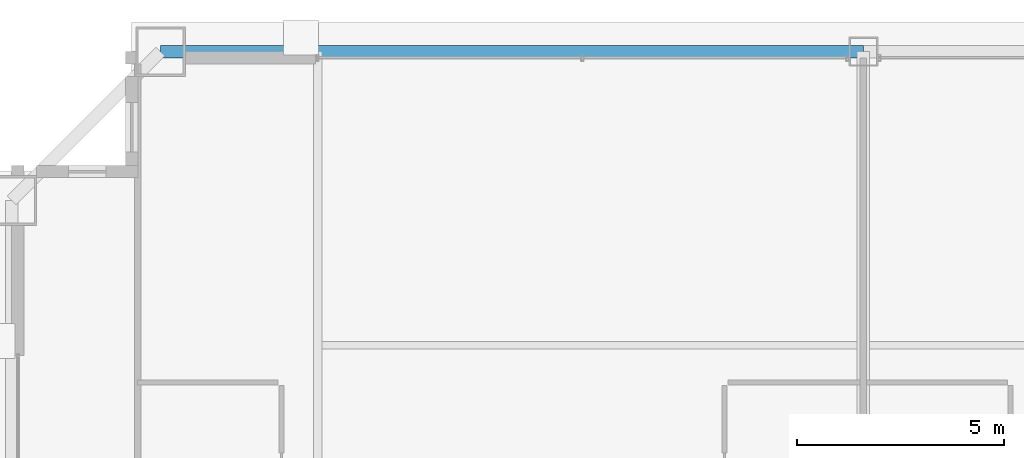
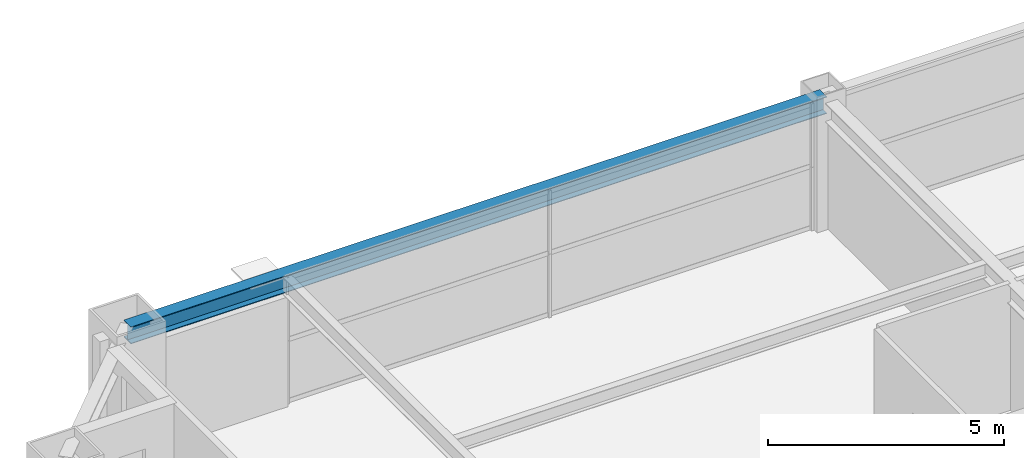
# One storey, part 25 of 36: 1 beam.
"""IFC4 building model written with IfcOpenShell, lengths in metres."""

from ifc_helpers import new_model, si_unit, direction, frame, origin, origin_2d, place, context, subcontext, project, spatial, i_section, extrude, source, transform, mapped, material, material_profile, profile_set, type_object, element, save


model = new_model("IFC4")

# Units and contexts
model_context = context("Model", 3, precision=1e-05, world=origin(), true_north=direction((0.0, 1.0)))
body_context = subcontext(model_context, "Body", "Model", "MODEL_VIEW")
ifc_project = project(units=[si_unit("LENGTHUNIT", "METRE"), si_unit("AREAUNIT", "SQUARE_METRE"), si_unit("VOLUMEUNIT", "CUBIC_METRE"), si_unit("PLANEANGLEUNIT", "RADIAN"), si_unit("MASSUNIT", "GRAM", prefix="KILO"), si_unit("THERMODYNAMICTEMPERATUREUNIT", "KELVIN"), si_unit("POWERUNIT", "WATT")], contexts=[model_context])

# Site, building, storey
site_placement = place(None, origin())
site = spatial("IfcSite", under=ifc_project, at=site_placement, CompositionType="ELEMENT")
building_placement = place(site_placement, origin())
building = spatial("IfcBuilding", under=site, at=building_placement, Name="Yuzanri Waterfront Tower", CompositionType="ELEMENT")
storey_placement = place(building_placement, frame((0.0, 0.0, 231.10009765625)))
storey = spatial("IfcBuildingStorey", under=building, at=storey_placement, Name="L61", CompositionType="ELEMENT", Elevation=231.10009765625)

# Beam
ifc_material = material(Name="Steel Q355B", Category="steel")
ifc_material_profile = material_profile(ifc_material, i_section(OverallWidth=0.300048828125, OverallDepth=0.43994140625, WebThickness=0.010986328125, FlangeThickness=0.01806640625, at=origin_2d()), Name="HM 440x300x11x18")
ifc_profile_set = profile_set([ifc_material_profile], Name="Steel Q355B")
beam_type = type_object("IfcBeamType", Name="Perimeter Spandrel Q355B HM 440x300", PredefinedType="SPANDREL", material=ifc_profile_set)
shared_shape = source(origin(), body_context, "Body", "SweptSolid", [
    extrude(i_section(OverallWidth=0.300048828125, OverallDepth=0.43994140625, WebThickness=0.010986328125, FlangeThickness=0.01806640625, at=origin_2d()), origin(), (0.0, 0.0, 1.0), 17.0),
])
beam_placement = place(storey_placement, frame((37.0, 46.39990234375, 3.059814453125), z_axis=(-1.0, 0.0, 0.0), x_axis=(0.0, -1.0, 0.0)))
element("IfcBeam", 1, at=beam_placement, inside=storey, type_object=beam_type, Name="L61 Perimeter Spandrel N2-N1", PredefinedType="SPANDREL", context=body_context, shape_type="MappedRepresentation", body=[
    mapped(shared_shape, transform((0.0, 0.0, 0.0), scale=1.0)),
])

save(model, "model.ifc")
